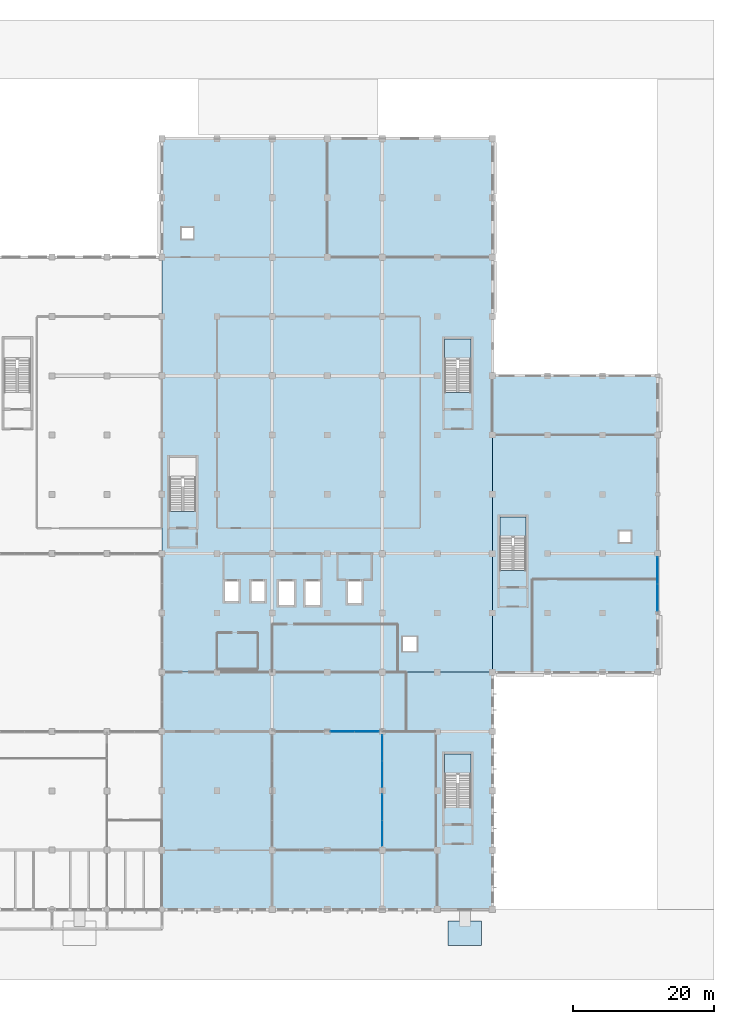
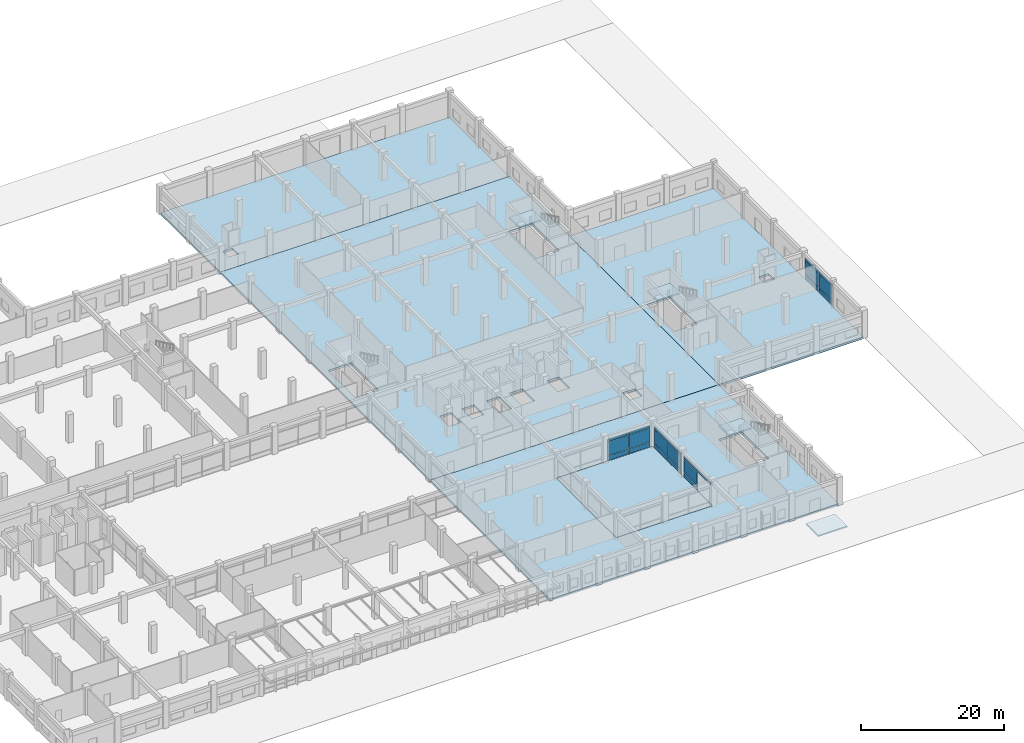
# One storey, part 43 of 74: 22 plates, 9 slabs, 7 elements without a shape of their own.
"""IFC4 building model written with IfcOpenShell, lengths in metres."""

from ifc_helpers import new_model, si_unit, direction, frame, origin, origin_2d, place, context, subcontext, project, spatial, polyline, rectangle, outline, extrude, material, layer, layer_set, type_object, element, aggregate, save


model = new_model("IFC4")

# Units and contexts
model_context = context("Model", 3, precision=1e-05, world=origin(), true_north=direction((0.0, 1.0)))
body_context = subcontext(model_context, "Body", "Model", "MODEL_VIEW")
ifc_project = project(units=[si_unit("LENGTHUNIT", "METRE"), si_unit("AREAUNIT", "SQUARE_METRE"), si_unit("VOLUMEUNIT", "CUBIC_METRE"), si_unit("PLANEANGLEUNIT", "RADIAN"), si_unit("MASSUNIT", "GRAM", prefix="KILO"), si_unit("THERMODYNAMICTEMPERATUREUNIT", "KELVIN"), si_unit("POWERUNIT", "WATT")], contexts=[model_context])

# Site, building, storey
site_placement = place(None, origin())
site = spatial("IfcSite", under=ifc_project, at=site_placement, CompositionType="ELEMENT")
building_placement = place(site_placement, origin())
building = spatial("IfcBuilding", under=site, at=building_placement, Name="Srebrne Nadtorze General Hospital", CompositionType="ELEMENT")
storey_placement = place(building_placement, origin())
storey = spatial("IfcBuildingStorey", under=building, at=storey_placement, Name="L00", CompositionType="ELEMENT", Elevation=0.0)

# Curtain wall, plates
ifc_material_1 = material(Name="Anodised Aluminium", Category="aluminium")
curtain_wall_type_1 = type_object("IfcCurtainWallType", Name="Unitised curtain wall 6900x3750", PredefinedType="NOTDEFINED", material=ifc_material_1)
curtain_wall_1_placement = place(storey_placement, origin())
curtain_wall_1 = element("IfcCurtainWall", 1, at=curtain_wall_1_placement, inside=storey, type_object=curtain_wall_type_1, Name="Curtain wall CW-012", PredefinedType="NOTDEFINED")
ifc_material_2 = material(Name="Triple Low-E Glazing", Category="glass")
ifc_layer_1 = layer(ifc_material_2, 0.050048828125)
ifc_layer_set_1 = layer_set([ifc_layer_1], Name="Triple Low-E Glazing")
plate_type = type_object("IfcPlateType", Name="Glazed curtain panel 50", PredefinedType="CURTAIN_PANEL", material=ifc_layer_set_1)
plate_1_placement = place(storey_placement, frame((126.989990234375, 25.199951171875, 0.06005859375), z_axis=(0.0, 0.0, 1.0), x_axis=(1.0, 0.0, 0.0)))
plate_1 = element("IfcPlate", 2, at=plate_1_placement, type_object=plate_type, Name="CW-012 panel 1.1", PredefinedType="CURTAIN_PANEL", context=body_context, shape_type="SweptSolid", body=[
    extrude(rectangle(XDim=3.360107421875, YDim=0.050048828125, at=origin_2d()), origin(), (0.0, 0.0, 1.0), 0.760009765625),
])
plate_2_placement = place(storey_placement, frame((126.989990234375, 25.199951171875, 0.8798828125), z_axis=(0.0, 0.0, 1.0), x_axis=(1.0, 0.0, 0.0)))
plate_2 = element("IfcPlate", 3, at=plate_2_placement, type_object=plate_type, Name="CW-012 panel 1.2", PredefinedType="CURTAIN_PANEL", context=body_context, shape_type="SweptSolid", body=[
    extrude(rectangle(XDim=3.360107421875, YDim=0.050048828125, at=origin_2d()), origin(), (0.0, 0.0, 1.0), 2.340087890625),
])
plate_3_placement = place(storey_placement, frame((126.989990234375, 25.199951171875, 3.2802734375), z_axis=(0.0, 0.0, 1.0), x_axis=(1.0, 0.0, 0.0)))
plate_3 = element("IfcPlate", 4, at=plate_3_placement, type_object=plate_type, Name="CW-012 panel 1.3", PredefinedType="CURTAIN_PANEL", context=body_context, shape_type="SweptSolid", body=[
    extrude(rectangle(XDim=3.360107421875, YDim=0.050048828125, at=origin_2d()), origin(), (0.0, 0.0, 1.0), 0.409912109375),
])
plate_4_placement = place(storey_placement, frame((130.409912109375, 25.199951171875, 0.06005859375), z_axis=(0.0, 0.0, 1.0), x_axis=(1.0, 0.0, 0.0)))
plate_4 = element("IfcPlate", 5, at=plate_4_placement, type_object=plate_type, Name="CW-012 panel 2.1", PredefinedType="CURTAIN_PANEL", context=body_context, shape_type="SweptSolid", body=[
    extrude(rectangle(XDim=3.360107421875, YDim=0.050048828125, at=origin_2d()), origin(), (0.0, 0.0, 1.0), 0.760009765625),
])
plate_5_placement = place(storey_placement, frame((130.409912109375, 25.199951171875, 0.8798828125), z_axis=(0.0, 0.0, 1.0), x_axis=(1.0, 0.0, 0.0)))
plate_5 = element("IfcPlate", 6, at=plate_5_placement, type_object=plate_type, Name="CW-012 panel 2.2", PredefinedType="CURTAIN_PANEL", context=body_context, shape_type="SweptSolid", body=[
    extrude(rectangle(XDim=3.360107421875, YDim=0.050048828125, at=origin_2d()), origin(), (0.0, 0.0, 1.0), 2.340087890625),
])
plate_6_placement = place(storey_placement, frame((130.409912109375, 25.199951171875, 3.2802734375), z_axis=(0.0, 0.0, 1.0), x_axis=(1.0, 0.0, 0.0)))
plate_6 = element("IfcPlate", 7, at=plate_6_placement, type_object=plate_type, Name="CW-012 panel 2.3", PredefinedType="CURTAIN_PANEL", context=body_context, shape_type="SweptSolid", body=[
    extrude(rectangle(XDim=3.360107421875, YDim=0.050048828125, at=origin_2d()), origin(), (0.0, 0.0, 1.0), 0.409912109375),
])
aggregate(curtain_wall_1, [plate_1, plate_2, plate_3, plate_4, plate_5, plate_6])

ifc_material_3 = material(Name="Anodised Aluminium", Category="aluminium")
curtain_wall_type_2 = type_object("IfcCurtainWallType", Name="Unitised curtain wall 7500x3750", PredefinedType="NOTDEFINED", material=ifc_material_3)
curtain_wall_2_placement = place(storey_placement, origin())
curtain_wall_2 = element("IfcCurtainWall", 8, at=curtain_wall_2_placement, inside=storey, type_object=curtain_wall_type_2, Name="Curtain wall CW-027", PredefinedType="NOTDEFINED")
plate_7_placement = place(storey_placement, frame((132.60009765625, 10.7412109375, 3.2822265625), z_axis=(0.0, 0.0, 1.0), x_axis=(0.0, 1.0, 0.0)))
plate_7 = element("IfcPlate", 9, at=plate_7_placement, type_object=plate_type, Name="CW-027 panel 1.3", PredefinedType="CURTAIN_PANEL", context=body_context, shape_type="SweptSolid", body=[
    extrude(rectangle(XDim=3.652587890625, YDim=0.050048828125, at=origin_2d()), origin(), (0.0, 0.0, 1.0), 0.402587890625),
])
plate_8_placement = place(storey_placement, frame((132.60009765625, 14.458740234375, 0.06494140625), z_axis=(0.0, 0.0, 1.0), x_axis=(0.0, 1.0, 0.0)))
plate_8 = element("IfcPlate", 10, at=plate_8_placement, type_object=plate_type, Name="CW-027 panel 2.1", PredefinedType="CURTAIN_PANEL", context=body_context, shape_type="SweptSolid", body=[
    extrude(rectangle(XDim=3.652587890625, YDim=0.050048828125, at=origin_2d()), origin(), (0.0, 0.0, 1.0), 0.75244140625),
])
plate_9_placement = place(storey_placement, frame((132.60009765625, 14.458740234375, 0.882568359375), z_axis=(0.0, 0.0, 1.0), x_axis=(0.0, 1.0, 0.0)))
plate_9 = element("IfcPlate", 11, at=plate_9_placement, type_object=plate_type, Name="CW-027 panel 2.2", PredefinedType="CURTAIN_PANEL", context=body_context, shape_type="SweptSolid", body=[
    extrude(rectangle(XDim=3.652587890625, YDim=0.050048828125, at=origin_2d()), origin(), (0.0, 0.0, 1.0), 2.3349609375),
])
plate_10_placement = place(storey_placement, frame((132.60009765625, 14.458740234375, 3.2822265625), z_axis=(0.0, 0.0, 1.0), x_axis=(0.0, 1.0, 0.0)))
plate_10 = element("IfcPlate", 12, at=plate_10_placement, type_object=plate_type, Name="CW-027 panel 2.3", PredefinedType="CURTAIN_PANEL", context=body_context, shape_type="SweptSolid", body=[
    extrude(rectangle(XDim=3.652587890625, YDim=0.050048828125, at=origin_2d()), origin(), (0.0, 0.0, 1.0), 0.402587890625),
])
aggregate(curtain_wall_2, [plate_7, plate_8, plate_9, plate_10])

curtain_wall_3_placement = place(storey_placement, origin())
curtain_wall_3 = element("IfcCurtainWall", 13, at=curtain_wall_3_placement, inside=storey, type_object=curtain_wall_type_2, Name="Curtain wall CW-028", PredefinedType="NOTDEFINED")
plate_11_placement = place(storey_placement, frame((132.60009765625, 19.139892578125, 0.06005859375), z_axis=(0.0, 0.0, 1.0), x_axis=(0.0, 1.0, 0.0)))
plate_11 = element("IfcPlate", 14, at=plate_11_placement, type_object=plate_type, Name="CW-028 panel 1.1", PredefinedType="CURTAIN_PANEL", context=body_context, shape_type="SweptSolid", body=[
    extrude(rectangle(XDim=3.659912109375, YDim=0.050048828125, at=origin_2d()), origin(), (0.0, 0.0, 1.0), 0.760009765625),
])
plate_12_placement = place(storey_placement, frame((132.60009765625, 19.139892578125, 0.8798828125), z_axis=(0.0, 0.0, 1.0), x_axis=(0.0, 1.0, 0.0)))
plate_12 = element("IfcPlate", 15, at=plate_12_placement, type_object=plate_type, Name="CW-028 panel 1.2", PredefinedType="CURTAIN_PANEL", context=body_context, shape_type="SweptSolid", body=[
    extrude(rectangle(XDim=3.659912109375, YDim=0.050048828125, at=origin_2d()), origin(), (0.0, 0.0, 1.0), 2.340087890625),
])
plate_13_placement = place(storey_placement, frame((132.60009765625, 19.139892578125, 3.2802734375), z_axis=(0.0, 0.0, 1.0), x_axis=(0.0, 1.0, 0.0)))
plate_13 = element("IfcPlate", 16, at=plate_13_placement, type_object=plate_type, Name="CW-028 panel 1.3", PredefinedType="CURTAIN_PANEL", context=body_context, shape_type="SweptSolid", body=[
    extrude(rectangle(XDim=3.659912109375, YDim=0.050048828125, at=origin_2d()), origin(), (0.0, 0.0, 1.0), 0.409912109375),
])
plate_14_placement = place(storey_placement, frame((132.60009765625, 22.860107421875, 0.06005859375), z_axis=(0.0, 0.0, 1.0), x_axis=(0.0, 1.0, 0.0)))
plate_14 = element("IfcPlate", 17, at=plate_14_placement, type_object=plate_type, Name="CW-028 panel 2.1", PredefinedType="CURTAIN_PANEL", context=body_context, shape_type="SweptSolid", body=[
    extrude(rectangle(XDim=3.659912109375, YDim=0.050048828125, at=origin_2d()), origin(), (0.0, 0.0, 1.0), 0.760009765625),
])
plate_15_placement = place(storey_placement, frame((132.60009765625, 22.860107421875, 0.8798828125), z_axis=(0.0, 0.0, 1.0), x_axis=(0.0, 1.0, 0.0)))
plate_15 = element("IfcPlate", 18, at=plate_15_placement, type_object=plate_type, Name="CW-028 panel 2.2", PredefinedType="CURTAIN_PANEL", context=body_context, shape_type="SweptSolid", body=[
    extrude(rectangle(XDim=3.659912109375, YDim=0.050048828125, at=origin_2d()), origin(), (0.0, 0.0, 1.0), 2.340087890625),
])
plate_16_placement = place(storey_placement, frame((132.60009765625, 22.860107421875, 3.2802734375), z_axis=(0.0, 0.0, 1.0), x_axis=(0.0, 1.0, 0.0)))
plate_16 = element("IfcPlate", 19, at=plate_16_placement, type_object=plate_type, Name="CW-028 panel 2.3", PredefinedType="CURTAIN_PANEL", context=body_context, shape_type="SweptSolid", body=[
    extrude(rectangle(XDim=3.659912109375, YDim=0.050048828125, at=origin_2d()), origin(), (0.0, 0.0, 1.0), 0.409912109375),
])
aggregate(curtain_wall_3, [plate_11, plate_12, plate_13, plate_14, plate_15, plate_16])

ifc_material_4 = material(Name="Anodised Aluminium", Category="aluminium")
curtain_wall_type_3 = type_object("IfcCurtainWallType", Name="Unitised curtain wall 7725x3750", PredefinedType="NOTDEFINED", material=ifc_material_4)
curtain_wall_4_placement = place(storey_placement, origin())
curtain_wall_4 = element("IfcCurtainWall", 20, at=curtain_wall_4_placement, inside=storey, type_object=curtain_wall_type_3, Name="Curtain wall CW-029", PredefinedType="NOTDEFINED")
plate_17_placement = place(storey_placement, frame((171.60009765625, 44.197509765625, 0.06494140625), z_axis=(0.0, 0.0, 1.0), x_axis=(0.0, 1.0, 0.0)))
plate_17 = element("IfcPlate", 21, at=plate_17_placement, type_object=plate_type, Name="CW-029 panel 1.1", PredefinedType="CURTAIN_PANEL", context=body_context, shape_type="SweptSolid", body=[
    extrude(rectangle(XDim=3.764892578125, YDim=0.050048828125, at=origin_2d()), origin(), (0.0, 0.0, 1.0), 0.75244140625),
])
plate_18_placement = place(storey_placement, frame((171.60009765625, 44.197509765625, 0.882568359375), z_axis=(0.0, 0.0, 1.0), x_axis=(0.0, 1.0, 0.0)))
plate_18 = element("IfcPlate", 22, at=plate_18_placement, type_object=plate_type, Name="CW-029 panel 1.2", PredefinedType="CURTAIN_PANEL", context=body_context, shape_type="SweptSolid", body=[
    extrude(rectangle(XDim=3.764892578125, YDim=0.050048828125, at=origin_2d()), origin(), (0.0, 0.0, 1.0), 2.3349609375),
])
plate_19_placement = place(storey_placement, frame((171.60009765625, 44.197509765625, 3.2822265625), z_axis=(0.0, 0.0, 1.0), x_axis=(0.0, 1.0, 0.0)))
plate_19 = element("IfcPlate", 23, at=plate_19_placement, type_object=plate_type, Name="CW-029 panel 1.3", PredefinedType="CURTAIN_PANEL", context=body_context, shape_type="SweptSolid", body=[
    extrude(rectangle(XDim=3.764892578125, YDim=0.050048828125, at=origin_2d()), origin(), (0.0, 0.0, 1.0), 0.402587890625),
])
plate_20_placement = place(storey_placement, frame((171.60009765625, 48.027587890625, 0.06494140625), z_axis=(0.0, 0.0, 1.0), x_axis=(0.0, 1.0, 0.0)))
plate_20 = element("IfcPlate", 24, at=plate_20_placement, type_object=plate_type, Name="CW-029 panel 2.1", PredefinedType="CURTAIN_PANEL", context=body_context, shape_type="SweptSolid", body=[
    extrude(rectangle(XDim=3.764892578125, YDim=0.050048828125, at=origin_2d()), origin(), (0.0, 0.0, 1.0), 0.75244140625),
])
plate_21_placement = place(storey_placement, frame((171.60009765625, 48.027587890625, 0.882568359375), z_axis=(0.0, 0.0, 1.0), x_axis=(0.0, 1.0, 0.0)))
plate_21 = element("IfcPlate", 25, at=plate_21_placement, type_object=plate_type, Name="CW-029 panel 2.2", PredefinedType="CURTAIN_PANEL", context=body_context, shape_type="SweptSolid", body=[
    extrude(rectangle(XDim=3.764892578125, YDim=0.050048828125, at=origin_2d()), origin(), (0.0, 0.0, 1.0), 2.3349609375),
])
plate_22_placement = place(storey_placement, frame((171.60009765625, 48.027587890625, 3.2822265625), z_axis=(0.0, 0.0, 1.0), x_axis=(0.0, 1.0, 0.0)))
plate_22 = element("IfcPlate", 26, at=plate_22_placement, type_object=plate_type, Name="CW-029 panel 2.3", PredefinedType="CURTAIN_PANEL", context=body_context, shape_type="SweptSolid", body=[
    extrude(rectangle(XDim=3.764892578125, YDim=0.050048828125, at=origin_2d()), origin(), (0.0, 0.0, 1.0), 0.402587890625),
])
aggregate(curtain_wall_4, [plate_17, plate_18, plate_19, plate_20, plate_21, plate_22])

# Stair, slab
ifc_material_5 = material(Name="Concrete C35/45", Category="concrete")
stair_type = type_object("IfcStairType", Name="Dog-leg escape stair 480", PredefinedType="HALF_TURN_STAIR", material=ifc_material_5)
stair_1_placement = place(storey_placement, origin())
stair_1 = element("IfcStair", 27, at=stair_1_placement, inside=storey, type_object=stair_type, Name="Escape stair ST-04-L00", PredefinedType="HALF_TURN_STAIR")
ifc_material_6 = material(Name="Concrete C35/45", Category="concrete")
ifc_layer_2 = layer(ifc_material_6, 0.219970703125)
ifc_layer_set_2 = layer_set([ifc_layer_2], Name="Concrete C35/45")
slab_type_1 = type_object("IfcSlabType", Name="Stair landing slab 220", PredefinedType="LANDING", material=ifc_layer_set_2)
slab_1_placement = place(storey_placement, frame((0.0, 0.0, 2.179931640625)))
slab_1 = element("IfcSlab", 28, at=slab_1_placement, type_object=slab_type_1, Name="ST-04 landing 1", PredefinedType="LANDING", context=body_context, shape_type="SweptSolid", body=[
    extrude(outline(polyline([(141.449951171875, 78.0), (145.199951171875, 78.0), (145.199951171875, 80.800048828125), (141.449951171875, 80.800048828125), (141.449951171875, 78.0)])), origin(), (0.0, 0.0, 1.0), 0.219970703125),
])
aggregate(stair_1, [slab_1])

stair_2_placement = place(storey_placement, origin())
stair_2 = element("IfcStair", 29, at=stair_2_placement, inside=storey, type_object=stair_type, Name="Escape stair ST-06-L00", PredefinedType="HALF_TURN_STAIR")
slab_2_placement = place(storey_placement, frame((0.0, 0.0, 2.179931640625)))
slab_2 = element("IfcSlab", 30, at=slab_2_placement, type_object=slab_type_1, Name="ST-06 landing 1", PredefinedType="LANDING", context=body_context, shape_type="SweptSolid", body=[
    extrude(outline(polyline([(149.25, 52.800048828125), (153.0, 52.800048828125), (153.0, 55.60009765625), (149.25, 55.60009765625), (149.25, 52.800048828125)])), origin(), (0.0, 0.0, 1.0), 0.219970703125),
])
aggregate(stair_2, [slab_2])

stair_3_placement = place(storey_placement, origin())
stair_3 = element("IfcStair", 31, at=stair_3_placement, inside=storey, type_object=stair_type, Name="Escape stair ST-08-L00", PredefinedType="HALF_TURN_STAIR")
slab_3_placement = place(storey_placement, frame((0.0, 0.0, 2.179931640625)))
slab_3 = element("IfcSlab", 32, at=slab_3_placement, type_object=slab_type_1, Name="ST-08 landing 1", PredefinedType="LANDING", context=body_context, shape_type="SweptSolid", body=[
    extrude(outline(polyline([(141.449951171875, 19.199951171875), (145.199951171875, 19.199951171875), (145.199951171875, 22.0), (141.449951171875, 22.0), (141.449951171875, 19.199951171875)])), origin(), (0.0, 0.0, 1.0), 0.219970703125),
])
aggregate(stair_3, [slab_3])

# Slabs
slab_4_placement = place(storey_placement, frame((0.0, 0.0, -0.419921875)))
element("IfcSlab", 33, at=slab_4_placement, inside=storey, type_object=slab_type_1, Name="Accessible ramp approach landing 4", PredefinedType="LANDING", context=body_context, shape_type="SweptSolid", body=[
    extrude(outline(polyline([(141.949951171875, -5.10009765625), (146.64990234375, -5.10009765625), (146.64990234375, -1.64990234375), (141.949951171875, -1.64990234375), (141.949951171875, -5.10009765625)])), origin(), (0.0, 0.0, 1.0), 0.219970703125),
])
ifc_material_7 = material(Name="Concrete C35/45", Category="concrete")
ifc_layer_3 = layer(ifc_material_7, 0.35009765625)
ifc_layer_set_3 = layer_set([ifc_layer_3], Name="Concrete C35/45")
slab_type_2 = type_object("IfcSlabType", Name="Suspended floor slab 350", PredefinedType="FLOOR", material=ifc_layer_set_3)
slab_5_placement = place(storey_placement, frame((0.0, 0.0, -0.35009765625)))
element("IfcSlab", 34, at=slab_5_placement, inside=storey, type_object=slab_type_2, Name="Suspended floor slab SL-L00-CLN", PredefinedType="FLOOR", context=body_context, shape_type="SweptSolid", body=[
    extrude(outline(polyline([(101.39990234375, 33.60009765625), (101.39990234375, 25.199951171875), (101.39990234375, 0.0), (148.199951171875, 0.0), (148.199951171875, 33.60009765625), (101.39990234375, 33.60009765625)]), holes=[polyline([(117.0, 8.39990234375), (117.0, 25.199951171875), (132.60009765625, 25.199951171875), (132.60009765625, 8.39990234375), (117.0, 8.39990234375)]), polyline([(141.449951171875, 14.405029296875), (141.449951171875, 22.0), (145.199951171875, 22.0), (145.199951171875, 14.405029296875), (141.449951171875, 14.405029296875)])]), origin(), (0.0, 0.0, 1.0), 0.35009765625),
])
slab_6_placement = place(storey_placement, frame((0.0, 0.0, -0.35009765625)))
element("IfcSlab", 35, at=slab_6_placement, inside=storey, type_object=slab_type_2, Name="Suspended floor slab SL-L00-E", PredefinedType="FLOOR", context=body_context, shape_type="SweptSolid", body=[
    extrude(outline(polyline([(101.39990234375, 50.39990234375), (101.39990234375, 33.60009765625), (148.199951171875, 33.60009765625), (148.199951171875, 92.39990234375), (101.39990234375, 92.39990234375), (101.39990234375, 50.39990234375)]), holes=[polyline([(135.5, 36.60009765625), (135.5, 38.60009765625), (137.5, 38.60009765625), (137.5, 36.60009765625), (135.5, 36.60009765625)]), polyline([(118.0, 43.110107421875), (118.0, 46.4599609375), (120.10009765625, 46.4599609375), (120.10009765625, 43.110107421875), (118.0, 43.110107421875)]), polyline([(121.699951171875, 43.110107421875), (121.699951171875, 46.4599609375), (123.800048828125, 46.4599609375), (123.800048828125, 43.110107421875), (121.699951171875, 43.110107421875)]), polyline([(127.75, 43.409912109375), (127.75, 46.4599609375), (129.64990234375, 46.4599609375), (129.64990234375, 43.409912109375), (127.75, 43.409912109375)]), polyline([(112.25, 43.7099609375), (110.35009765625, 43.7099609375), (110.35009765625, 46.4599609375), (112.25, 46.4599609375), (112.25, 43.7099609375)]), polyline([(114.050048828125, 43.7099609375), (114.050048828125, 46.4599609375), (115.949951171875, 46.4599609375), (115.949951171875, 43.7099609375), (114.050048828125, 43.7099609375)]), polyline([(102.449951171875, 56.405029296875), (102.449951171875, 64.0), (106.199951171875, 64.0), (106.199951171875, 56.405029296875), (102.449951171875, 56.405029296875)]), polyline([(141.449951171875, 73.205078125), (141.449951171875, 80.800048828125), (145.199951171875, 80.800048828125), (145.199951171875, 73.205078125), (141.449951171875, 73.205078125)])]), origin(), (0.0, 0.0, 1.0), 0.35009765625),
])
slab_7_placement = place(storey_placement, frame((0.0, 0.0, -0.35009765625)))
element("IfcSlab", 36, at=slab_7_placement, inside=storey, type_object=slab_type_2, Name="Suspended floor slab SL-L00-NEB", PredefinedType="FLOOR", context=body_context, shape_type="SweptSolid", body=[
    extrude(outline(polyline([(148.199951171875, 92.39990234375), (148.199951171875, 109.199951171875), (101.39990234375, 109.199951171875), (101.39990234375, 92.39990234375), (148.199951171875, 92.39990234375)]), holes=[polyline([(104.199951171875, 95.0), (104.199951171875, 96.60009765625), (105.800048828125, 96.60009765625), (105.800048828125, 95.0), (104.199951171875, 95.0)])]), origin(), (0.0, 0.0, 1.0), 0.35009765625),
])
slab_8_placement = place(storey_placement, frame((0.0, 0.0, -0.35009765625)))
element("IfcSlab", 37, at=slab_8_placement, inside=storey, type_object=slab_type_2, Name="Suspended floor slab SL-L00-EB", PredefinedType="FLOOR", context=body_context, shape_type="SweptSolid", body=[
    extrude(outline(polyline([(171.60009765625, 33.60009765625), (171.60009765625, 75.60009765625), (148.199951171875, 75.60009765625), (148.199951171875, 33.60009765625), (171.60009765625, 33.60009765625)]), holes=[polyline([(149.25, 48.0048828125), (149.25, 55.60009765625), (153.0, 55.60009765625), (153.0, 48.0048828125), (149.25, 48.0048828125)]), polyline([(166.199951171875, 52.0), (166.199951171875, 53.60009765625), (167.800048828125, 53.60009765625), (167.800048828125, 52.0), (166.199951171875, 52.0)])]), origin(), (0.0, 0.0, 1.0), 0.35009765625),
])
ifc_material_8 = material(Name="Concrete C35/45", Category="concrete")
ifc_layer_4 = layer(ifc_material_8, 0.2451171875)
ifc_layer_set_4 = layer_set([ifc_layer_4], Name="Concrete C35/45")
slab_type_3 = type_object("IfcSlabType", Name="Terrace slab 245", PredefinedType="FLOOR", material=ifc_layer_set_4)
slab_9_placement = place(storey_placement, frame((0.0, 0.0, -0.2451171875)))
element("IfcSlab", 38, at=slab_9_placement, inside=storey, type_object=slab_type_3, Name="Courtyard garden deck SL-L00-CT-E", PredefinedType="FLOOR", context=body_context, shape_type="SweptSolid", body=[
    extrude(outline(polyline([(117.0, 8.39990234375), (132.60009765625, 8.39990234375), (132.60009765625, 25.199951171875), (117.0, 25.199951171875), (117.0, 8.39990234375)])), origin(), (0.0, 0.0, 1.0), 0.2451171875),
])

save(model, "model.ifc")
